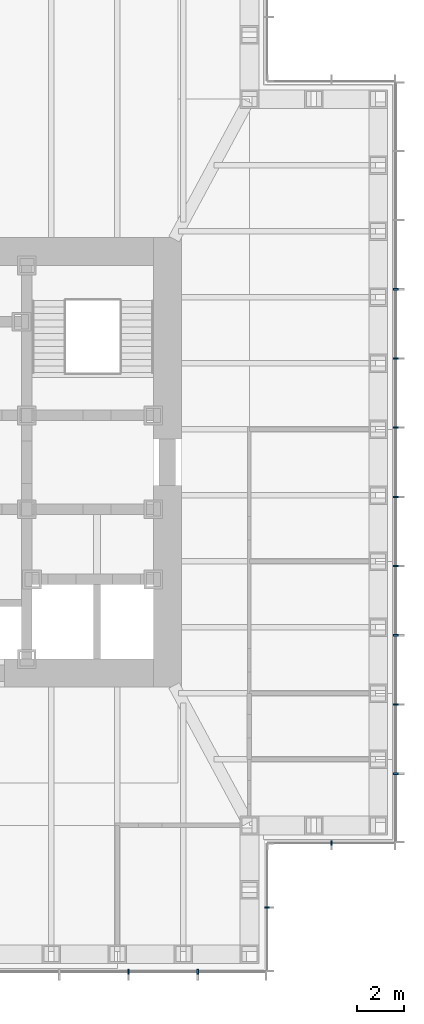
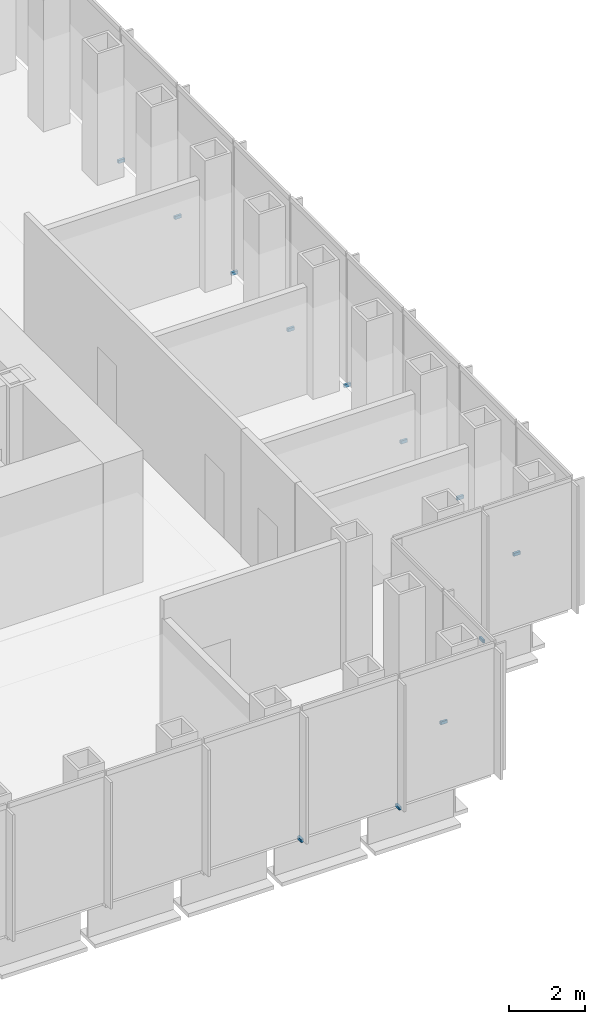
# One storey, part 13 of 16: 12 discrete accessories.
"""IFC4 building model written with IfcOpenShell, lengths in metres."""

from ifc_helpers import new_model, si_unit, direction, frame, origin, origin_2d, place, context, subcontext, project, spatial, rectangle, extrude, element, save


model = new_model("IFC4")

# Units and contexts
model_context = context("Model", 3, precision=1e-05, world=origin(), true_north=direction((0.0, 1.0)))
body_context = subcontext(model_context, "Body", "Model", "MODEL_VIEW")
ifc_project = project(units=[si_unit("LENGTHUNIT", "METRE"), si_unit("AREAUNIT", "SQUARE_METRE"), si_unit("VOLUMEUNIT", "CUBIC_METRE"), si_unit("PLANEANGLEUNIT", "RADIAN"), si_unit("MASSUNIT", "GRAM", prefix="KILO")], contexts=[model_context])

# Site, building, storey
site_placement = place(None, origin())
site = spatial("IfcSite", under=ifc_project, at=site_placement, CompositionType="ELEMENT")
building_placement = place(site_placement, origin())
building = spatial("IfcBuilding", under=site, at=building_placement, Name="Daluyong Arena Tower", CompositionType="ELEMENT")
storey_placement = place(building_placement, frame((0.0, 0.0, 231.699951171875)))
storey = spatial("IfcBuildingStorey", under=building, at=storey_placement, Name="L52", CompositionType="ELEMENT", Elevation=231.699951171875)

# Discrete accessories
for number, where, z_axis, x_axis, name in (
    (1, (66.3408203125, 58.25, -0.10009765625), (0.0, 0.0, 1.0), (1.0, 0.0, 0.0), "curtain wall L52 S anchor bracket 10"),
    (2, (69.29541015625, 58.25, -0.10009765625), (0.0, 0.0, 1.0), (1.0, 0.0, 0.0), "curtain wall L52 S anchor bracket 11"),
):
    element("IfcDiscreteAccessory", number, at=place(storey_placement, frame(where, z_axis=z_axis, x_axis=x_axis)), inside=storey, Name=name, PredefinedType="BRACKET", context=body_context, shape_type="SweptSolid", body=[
        extrude(rectangle(XDim=0.070068359375, YDim=0.199951171875, at=origin_2d()), origin(), (0.0, 0.0, 1.0), 0.10009765625),
    ])
for number, where, z_axis, x_axis, name in (
    (3, (72.25, 61.0, -0.10009765625), (0.0, 0.0, 1.0), (0.0, 1.0, 0.0), "curtain wall L52 SE-E anchor bracket 2"),
    (4, (75.0, 63.75, -0.10009765625), (0.0, 0.0, 1.0), (1.0, 0.0, 0.0), "curtain wall L52 SE-S anchor bracket 2"),
):
    element("IfcDiscreteAccessory", number, at=place(storey_placement, frame(where, z_axis=z_axis, x_axis=x_axis)), inside=storey, Name=name, PredefinedType="BRACKET", context=body_context, shape_type="SweptSolid", body=[
        extrude(rectangle(XDim=0.06005859375, YDim=0.199951171875, at=origin_2d()), origin(), (0.0, 0.0, 1.0), 0.10009765625),
    ])
for number, where, z_axis, x_axis, name in (
    (5, (77.75, 66.70458984375, -0.10009765625), (0.0, 0.0, 1.0), (0.0, 1.0, 0.0), "curtain wall L52 E anchor bracket 2"),
    (6, (77.75, 69.6591796875, -0.10009765625), (0.0, 0.0, 1.0), (0.0, 1.0, 0.0), "curtain wall L52 E anchor bracket 3"),
    (7, (77.75, 72.613525390625, -0.10009765625), (0.0, 0.0, 1.0), (0.0, 1.0, 0.0), "curtain wall L52 E anchor bracket 4"),
    (8, (77.75, 75.568115234375, -0.10009765625), (0.0, 0.0, 1.0), (0.0, 1.0, 0.0), "curtain wall L52 E anchor bracket 5"),
    (9, (77.75, 78.522705078125, -0.10009765625), (0.0, 0.0, 1.0), (0.0, 1.0, 0.0), "curtain wall L52 E anchor bracket 6"),
    (10, (77.75, 81.477294921875, -0.10009765625), (0.0, 0.0, 1.0), (0.0, 1.0, 0.0), "curtain wall L52 E anchor bracket 7"),
    (11, (77.75, 84.431884765625, -0.10009765625), (0.0, 0.0, 1.0), (0.0, 1.0, 0.0), "curtain wall L52 E anchor bracket 8"),
    (12, (77.75, 87.386474609375, -0.10009765625), (0.0, 0.0, 1.0), (0.0, 1.0, 0.0), "curtain wall L52 E anchor bracket 9"),
):
    element("IfcDiscreteAccessory", number, at=place(storey_placement, frame(where, z_axis=z_axis, x_axis=x_axis)), inside=storey, Name=name, PredefinedType="BRACKET", context=body_context, shape_type="SweptSolid", body=[
        extrude(rectangle(XDim=0.070068359375, YDim=0.199951171875, at=origin_2d()), origin(), (0.0, 0.0, 1.0), 0.10009765625),
    ])

save(model, "model.ifc")
